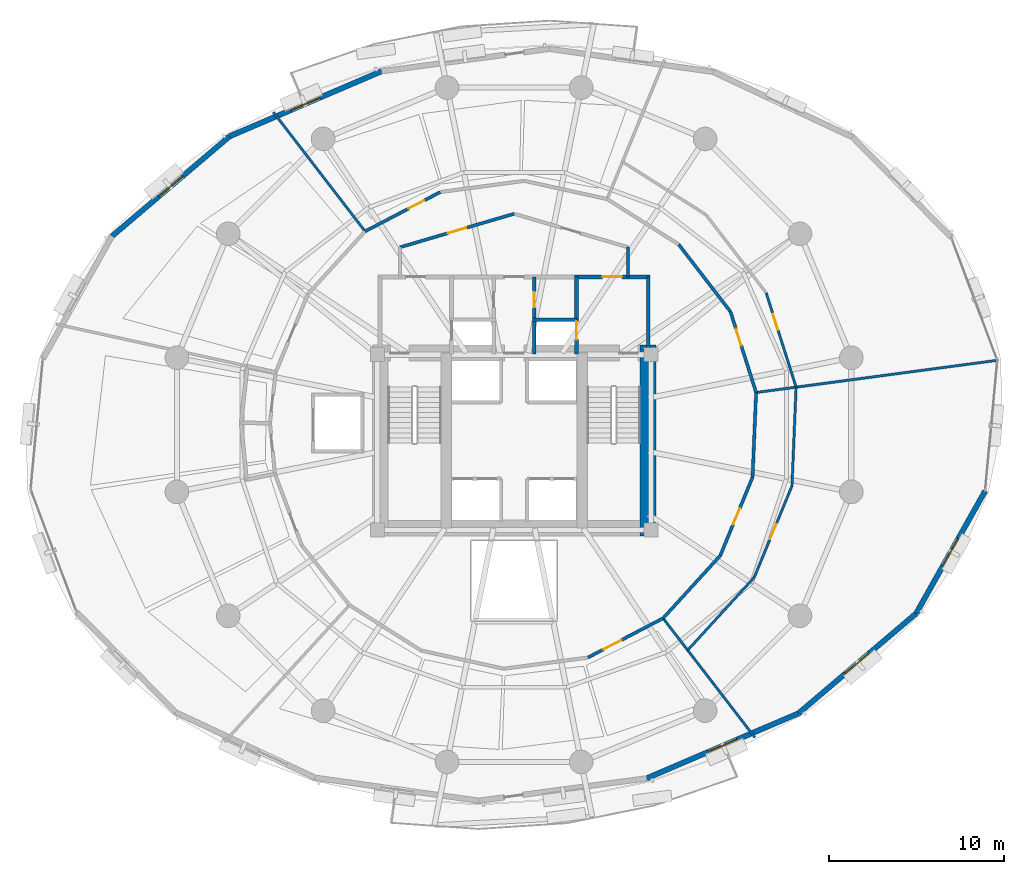
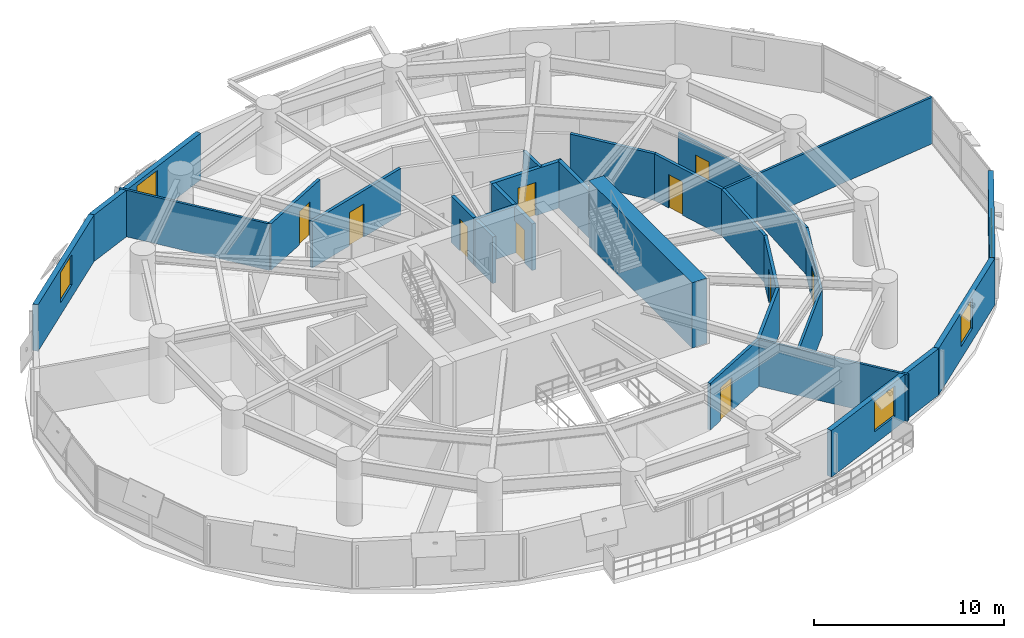
# One storey, part 13 of 17: 27 walls, 10 doors, 5 windows, 15 openings.
"""IFC4 building model written with IfcOpenShell, lengths in metres."""

from ifc_helpers import new_model, si_unit, direction, frame, frame_2d, origin, place, context, subcontext, project, spatial, rectangle, extrude, material, layer, layer_set, type_object, element, fill, save


model = new_model("IFC4")

# Units and contexts
model_context = context("Model", 3, precision=1e-05, world=origin(), true_north=direction((0.0, 1.0)))
body_context = subcontext(model_context, "Body", "Model", "MODEL_VIEW")
ifc_project = project(units=[si_unit("LENGTHUNIT", "METRE"), si_unit("AREAUNIT", "SQUARE_METRE"), si_unit("VOLUMEUNIT", "CUBIC_METRE"), si_unit("PLANEANGLEUNIT", "RADIAN"), si_unit("MASSUNIT", "GRAM", prefix="KILO"), si_unit("THERMODYNAMICTEMPERATUREUNIT", "KELVIN"), si_unit("POWERUNIT", "WATT")], contexts=[model_context])

# Site, building, storey
site_placement = place(None, origin())
site = spatial("IfcSite", under=ifc_project, at=site_placement, CompositionType="ELEMENT")
building_placement = place(site_placement, origin())
building = spatial("IfcBuilding", under=site, at=building_placement, Name="Ocrelia Relay Tower", CompositionType="ELEMENT")
storey_placement = place(building_placement, frame((0.0, 0.0, 63.60009765625)))
storey = spatial("IfcBuildingStorey", under=building, at=storey_placement, Name="L14", CompositionType="ELEMENT", Elevation=63.60009765625)

# Walls
ifc_material_1 = material(Name="Concrete C70/85", Category="concrete")
ifc_layer_1 = layer(ifc_material_1, 0.89990234375, Name="Concrete C70/85")
ifc_layer_set_1 = layer_set([ifc_layer_1], Name="Concrete C70/85")
wall_type_1 = type_object("IfcWallType", Name="CW-CORE-900", PredefinedType="SHEAR", material=ifc_layer_set_1)
wall_1_placement = place(storey_placement, frame((41.637939453125, 19.662109375, 0.0), z_axis=(0.0, 0.0, 1.0), x_axis=(0.0, 1.0, 0.0)))
element("IfcWall", 1, at=wall_1_placement, inside=storey, type_object=wall_type_1, Name="L14 Core Shear Wall E", PredefinedType="SHEAR", context=body_context, shape_type="SweptSolid", body=[
    extrude(rectangle(XDim=10.8759765625, YDim=0.89990234375, at=frame_2d((5.43798828125, 0.0))), origin(), (0.0, 0.0, 1.0), 4.199951171875),
])
ifc_material_2 = material(Name="Gypsum Fireboard Partition EI60", Category="gypsum")
ifc_layer_2 = layer(ifc_material_2, 0.179931640625, Name="Gypsum Fireboard Partition EI60")
ifc_layer_set_2 = layer_set([ifc_layer_2], Name="Gypsum Fireboard Partition EI60")
wall_type_2 = type_object("IfcWallType", Name="W-CORR-EI60-180", PredefinedType="PARTITIONING", material=ifc_layer_set_2)
wall_2_placement = place(storey_placement, frame((40.5, 36.122802734375, 0.0), z_axis=(0.0, 0.0, 1.0), x_axis=(0.0, -1.0, 0.0)))
element("IfcWall", 2, at=wall_2_placement, inside=storey, type_object=wall_type_2, Name="L14 Smoke Lobby East Return", PredefinedType="PARTITIONING", context=body_context, shape_type="SweptSolid", body=[
    extrude(rectangle(XDim=1.69287109375, YDim=0.179931640625, at=frame_2d((0.846435546875, 0.0))), origin(), (0.0, 0.0, 1.0), 3.0),
])

# Wall, opening, door
wall_3_placement = place(storey_placement, frame((27.5, 36.122802734375, 0.0), z_axis=(0.0, 0.0, 1.0), x_axis=(0.959546654541, 0.281549671923, 0.0)))
wall_3 = element("IfcWall", 3, at=wall_3_placement, inside=storey, type_object=wall_type_2, Name="L14 North Smoke Lobby W Screen Wall", PredefinedType="PARTITIONING", context=body_context, shape_type="SweptSolid", body=[
    extrude(rectangle(XDim=6.77392578125, YDim=0.179931640625, at=frame_2d((3.386962890625, 0.0))), origin(), (0.0, 0.0, 1.0), 3.0),
])
opening_1_placement = place(wall_3_placement, frame((2.8369140625, 0.0, 0.0)))
opening_1 = element("IfcOpeningElement", 4, at=opening_1_placement, cuts=wall_3, Name="Opening D-FD60", PredefinedType="OPENING", context=body_context, shape_type="SweptSolid", body=[
    extrude(rectangle(XDim=1.10009765625, YDim=2.14990234375, at=frame_2d((0.550048828125, 1.074951171875))), frame((0.0, 0.10009765625, 0.0), z_axis=(0.0, -1.0, 0.0), x_axis=(1.0, 0.0, 0.0)), (0.0, 0.0, 1.0), 0.199951171875),
])
ifc_material_3 = material(Name="Timber-core 60-min acoustic fire door", Category="wood")
door_type_1 = type_object("IfcDoorType", Name="DR-LOBBY-FD60-1100", OperationType="NOTDEFINED", PredefinedType="DOOR", material=ifc_material_3)
door_1_placement = place(opening_1_placement, origin())
door_1 = element("IfcDoor", 5, at=door_1_placement, inside=storey, type_object=door_type_1, Name="L14 North Smoke Lobby W Fire Door", OperationType="SINGLE_SWING_RIGHT", OverallHeight=2.14990234375, OverallWidth=1.10009765625, PredefinedType="DOOR", context=body_context, shape_type="SweptSolid", body=[
    extrude(rectangle(XDim=1.10009765625, YDim=2.14990234375, at=frame_2d((0.550048828125, 1.074951171875))), frame((0.0, 0.02490234375, 0.0), z_axis=(0.0, -1.0, 0.0), x_axis=(1.0, 0.0, 0.0)), (0.0, 0.0, 1.0), 0.050048828125),
])
fill(opening_1, door_1)

wall_4_placement = place(storey_placement, frame((38.208984375, 12.731689453125, 0.0), z_axis=(0.0, 0.0, 1.0), x_axis=(0.886221674156, 0.463261421075, 0.0)))
wall_4 = element("IfcWall", 6, at=wall_4_placement, inside=storey, type_object=wall_type_2, Name="L14 Colocation Data Hall A Corridor Partition 4", PredefinedType="PARTITIONING", context=body_context, shape_type="SweptSolid", body=[
    extrude(rectangle(XDim=4.834228515625, YDim=0.179931640625, at=frame_2d((2.4169921875, 0.0))), origin(), (0.0, 0.0, 1.0), 3.0),
])
opening_2_placement = place(wall_4_placement, frame((0.99609375, 0.0, 0.0)))
opening_2 = element("IfcOpeningElement", 7, at=opening_2_placement, cuts=wall_4, Name="Opening D-RM115", PredefinedType="OPENING", context=body_context, shape_type="SweptSolid", body=[
    extrude(rectangle(XDim=1.14990234375, YDim=2.14990234375, at=frame_2d((0.574951171875, 1.074951171875))), frame((0.0, 0.10009765625, 0.0), z_axis=(0.0, -1.0, 0.0), x_axis=(1.0, 0.0, 0.0)), (0.0, 0.0, 1.0), 0.199951171875),
])
ifc_material_4 = material(Name="Wide acoustic oak veneer fire door", Category="wood")
door_type_2 = type_object("IfcDoorType", Name="DR-ROOM-1150", OperationType="NOTDEFINED", PredefinedType="DOOR", material=ifc_material_4)
door_2_placement = place(opening_2_placement, origin())
door_2 = element("IfcDoor", 8, at=door_2_placement, inside=storey, type_object=door_type_2, Name="L14 Colocation Data Hall A Entrance Door", OperationType="SINGLE_SWING_LEFT", OverallHeight=2.14990234375, OverallWidth=1.14990234375, PredefinedType="DOOR", context=body_context, shape_type="SweptSolid", body=[
    extrude(rectangle(XDim=1.14990234375, YDim=2.14990234375, at=frame_2d((0.574951171875, 1.074951171875))), frame((0.0, 0.02490234375, 0.0), z_axis=(0.0, -1.0, 0.0), x_axis=(1.0, 0.0, 0.0)), (0.0, 0.0, 1.0), 0.050048828125),
])
fill(opening_2, door_2)

# Wall
wall_5_placement = place(storey_placement, frame((42.4931640625, 14.97119140625, 0.0), z_axis=(0.0, 0.0, 1.0), x_axis=(0.674284930573, 0.738471280689, 0.0)))
element("IfcWall", 9, at=wall_5_placement, inside=storey, type_object=wall_type_2, Name="L14 Innovation Club Room Corridor Partition 1", PredefinedType="PARTITIONING", context=body_context, shape_type="SweptSolid", body=[
    extrude(rectangle(XDim=4.83447265625, YDim=0.179931640625, at=frame_2d((2.417236328125, 0.0))), origin(), (0.0, 0.0, 1.0), 3.0),
])

# Wall, opening, door
wall_6_placement = place(storey_placement, frame((45.7529296875, 18.541259765625, 0.0), z_axis=(0.0, 0.0, 1.0), x_axis=(0.381069812318, 0.92454626609, 0.0)))
wall_6 = element("IfcWall", 10, at=wall_6_placement, inside=storey, type_object=wall_type_2, Name="L14 Innovation Club Room Corridor Partition 2", PredefinedType="PARTITIONING", context=body_context, shape_type="SweptSolid", body=[
    extrude(rectangle(XDim=4.83447265625, YDim=0.179931640625, at=frame_2d((2.417236328125, 0.0))), origin(), (0.0, 0.0, 1.0), 3.0),
])
opening_3_placement = place(wall_6_placement, frame((1.917236328125, 0.0, 0.0)))
opening_3 = element("IfcOpeningElement", 11, at=opening_3_placement, cuts=wall_6, Name="Opening D-RM100", PredefinedType="OPENING", context=body_context, shape_type="SweptSolid", body=[
    extrude(rectangle(XDim=1.0, YDim=2.14990234375, at=frame_2d((0.5, 1.074951171875))), frame((0.0, 0.10009765625, 0.0), z_axis=(0.0, -1.0, 0.0), x_axis=(1.0, 0.0, 0.0)), (0.0, 0.0, 1.0), 0.199951171875),
])
ifc_material_5 = material(Name="Acoustic oak veneer fire door", Category="wood")
door_type_3 = type_object("IfcDoorType", Name="DR-ROOM-FD60-1000", OperationType="NOTDEFINED", PredefinedType="DOOR", material=ifc_material_5)
door_3_placement = place(opening_3_placement, origin())
door_3 = element("IfcDoor", 12, at=door_3_placement, inside=storey, type_object=door_type_3, Name="L14 Innovation Club Room Entrance Door", OperationType="SINGLE_SWING_RIGHT", OverallHeight=2.14990234375, OverallWidth=1.0, PredefinedType="DOOR", context=body_context, shape_type="SweptSolid", body=[
    extrude(rectangle(XDim=1.0, YDim=2.14990234375, at=frame_2d((0.5, 1.074951171875))), frame((0.0, 0.02490234375, 0.0), z_axis=(0.0, -1.0, 0.0), x_axis=(1.0, 0.0, 0.0)), (0.0, 0.0, 1.0), 0.050048828125),
])
fill(opening_3, door_3)

# Wall
wall_7_placement = place(storey_placement, frame((47.59521484375, 23.010986328125, 0.0), z_axis=(0.0, 0.0, 1.0), x_axis=(0.041865809147, 0.999123242661, 0.0)))
element("IfcWall", 13, at=wall_7_placement, inside=storey, type_object=wall_type_2, Name="L14 Innovation Club Room Corridor Partition 3", PredefinedType="PARTITIONING", context=body_context, shape_type="SweptSolid", body=[
    extrude(rectangle(XDim=4.834228515625, YDim=0.179931640625, at=frame_2d((2.4169921875, 0.0))), origin(), (0.0, 0.0, 1.0), 3.0),
])

# Wall, opening, door
wall_8_placement = place(storey_placement, frame((47.797607421875, 27.841064453125, 0.0), z_axis=(0.0, 0.0, 1.0), x_axis=(-0.302346825509, 0.953197984212, 0.0)))
wall_8 = element("IfcWall", 14, at=wall_8_placement, inside=storey, type_object=wall_type_2, Name="L14 Staff Wellness Room Corridor Partition 1", PredefinedType="PARTITIONING", context=body_context, shape_type="SweptSolid", body=[
    extrude(rectangle(XDim=4.83447265625, YDim=0.179931640625, at=frame_2d((2.417236328125, 0.0))), origin(), (0.0, 0.0, 1.0), 3.0),
])
opening_4_placement = place(wall_8_placement, frame((2.80078125, 0.0, 0.0)))
opening_4 = element("IfcOpeningElement", 15, at=opening_4_placement, cuts=wall_8, Name="Opening D-RM100", PredefinedType="OPENING", context=body_context, shape_type="SweptSolid", body=[
    extrude(rectangle(XDim=1.0, YDim=2.14990234375, at=frame_2d((0.5, 1.074951171875))), frame((0.0, 0.10009765625, 0.0), z_axis=(0.0, -1.0, 0.0), x_axis=(1.0, 0.0, 0.0)), (0.0, 0.0, 1.0), 0.199951171875),
])
door_4_placement = place(opening_4_placement, origin())
door_4 = element("IfcDoor", 16, at=door_4_placement, inside=storey, type_object=door_type_3, Name="L14 Staff Wellness Room Entrance Door", OperationType="SINGLE_SWING_RIGHT", OverallHeight=2.14990234375, OverallWidth=1.0, PredefinedType="DOOR", context=body_context, shape_type="SweptSolid", body=[
    extrude(rectangle(XDim=1.0, YDim=2.14990234375, at=frame_2d((0.5, 1.074951171875))), frame((0.0, 0.02490234375, 0.0), z_axis=(0.0, -1.0, 0.0), x_axis=(1.0, 0.0, 0.0)), (0.0, 0.0, 1.0), 0.050048828125),
])
fill(opening_4, door_4)

# Wall
wall_9_placement = place(storey_placement, frame((46.3359375, 32.44921875, 0.0), z_axis=(0.0, 0.0, 1.0), x_axis=(-0.610164615226, 0.792274663438, 0.0)))
element("IfcWall", 17, at=wall_9_placement, inside=storey, type_object=wall_type_2, Name="L14 Staff Wellness Room Corridor Partition 2", PredefinedType="PARTITIONING", context=body_context, shape_type="SweptSolid", body=[
    extrude(rectangle(XDim=4.834228515625, YDim=0.179931640625, at=frame_2d((2.4169921875, 0.0))), origin(), (0.0, 0.0, 1.0), 3.0),
])

# Wall, opening, door
wall_10_placement = place(storey_placement, frame((29.791015625, 39.268310546875, 0.0), z_axis=(0.0, 0.0, 1.0), x_axis=(-0.886221674156, -0.463261421075, 0.0)))
wall_10 = element("IfcWall", 18, at=wall_10_placement, inside=storey, type_object=wall_type_2, Name="L14 Shift Staff Lounge Corridor Partition 3", PredefinedType="PARTITIONING", context=body_context, shape_type="SweptSolid", body=[
    extrude(rectangle(XDim=4.834228515625, YDim=0.179931640625, at=frame_2d((2.4169921875, 0.0))), origin(), (0.0, 0.0, 1.0), 3.0),
])
opening_5_placement = place(wall_10_placement, frame((1.03369140625, 0.0, 0.0)))
opening_5 = element("IfcOpeningElement", 19, at=opening_5_placement, cuts=wall_10, Name="Opening D-RM100", PredefinedType="OPENING", context=body_context, shape_type="SweptSolid", body=[
    extrude(rectangle(XDim=1.0, YDim=2.14990234375, at=frame_2d((0.5, 1.074951171875))), frame((0.0, 0.10009765625, 0.0), z_axis=(0.0, -1.0, 0.0), x_axis=(1.0, 0.0, 0.0)), (0.0, 0.0, 1.0), 0.199951171875),
])
door_5_placement = place(opening_5_placement, origin())
door_5 = element("IfcDoor", 20, at=door_5_placement, inside=storey, type_object=door_type_3, Name="L14 Shift Staff Lounge Entrance Door", OperationType="SINGLE_SWING_RIGHT", OverallHeight=2.14990234375, OverallWidth=1.0, PredefinedType="DOOR", context=body_context, shape_type="SweptSolid", body=[
    extrude(rectangle(XDim=1.0, YDim=2.14990234375, at=frame_2d((0.5, 1.074951171875))), frame((0.0, 0.02490234375, 0.0), z_axis=(0.0, -1.0, 0.0), x_axis=(1.0, 0.0, 0.0)), (0.0, 0.0, 1.0), 0.050048828125),
])
fill(opening_5, door_5)

# Wall, opening, window
ifc_material_6 = material(Name="Precast concrete C40/50 with oxide terracotta", Category="masonry")
ifc_layer_3 = layer(ifc_material_6, 0.300048828125, Name="Precast concrete C40/50 with oxide terracotta")
ifc_layer_set_3 = layer_set([ifc_layer_3], Name="Precast concrete C40/50 with oxide terracotta")
wall_type_3 = type_object("IfcWallType", Name="W-EXT-TERR-300", PredefinedType="SOLIDWALL", material=ifc_layer_set_3)
wall_11_placement = place(storey_placement, frame((26.440673828125, 46.15380859375, 0.0), z_axis=(0.0, 0.0, 1.0), x_axis=(-0.919246893901, -0.393681531259, 0.0)))
wall_11 = element("IfcWall", 21, at=wall_11_placement, inside=storey, type_object=wall_type_3, Name="L14 Oxide Terracotta Facade Wall 06", PredefinedType="SOLIDWALL", context=body_context, shape_type="SweptSolid", body=[
    extrude(rectangle(XDim=9.418701171875, YDim=0.300048828125, at=frame_2d((4.70947265625, 0.0))), origin(), (0.0, 0.0, 1.0), 3.0),
])
opening_6_placement = place(wall_11_placement, frame((3.80908203125, 0.0, 0.800048828125)))
opening_6 = element("IfcOpeningElement", 22, at=opening_6_placement, cuts=wall_11, Name="Opening W-02", PredefinedType="OPENING", context=body_context, shape_type="SweptSolid", body=[
    extrude(rectangle(XDim=1.800048828125, YDim=1.949951171875, at=frame_2d((0.89990234375, 0.97509765625))), frame((0.0, 0.16015625, 0.0), z_axis=(0.0, -1.0, 0.0), x_axis=(1.0, 0.0, 0.0)), (0.0, 0.0, 1.0), 0.320068359375),
])
ifc_material_7 = material(Name="Clear double-glazed low-E glass", Category="glass")
window_type = type_object("IfcWindowType", Name="WIN-Z1-1800x2100", PartitioningType="DOUBLE_PANEL_VERTICAL", PredefinedType="WINDOW", material=ifc_material_7)
window_1_placement = place(opening_6_placement, origin())
window_1 = element("IfcWindow", 23, at=window_1_placement, inside=storey, type_object=window_type, Name="L14 Facade Module Window 06", OverallHeight=1.949951171875, OverallWidth=1.800048828125, PartitioningType="SINGLE_PANEL", PredefinedType="WINDOW", context=body_context, shape_type="SweptSolid", body=[
    extrude(rectangle(XDim=1.800048828125, YDim=1.949951171875, at=frame_2d((0.89990234375, 0.97509765625))), frame((0.0, 0.030029296875, 0.0), z_axis=(0.0, -1.0, 0.0), x_axis=(1.0, 0.0, 0.0)), (0.0, 0.0, 1.0), 0.06005859375),
])
fill(opening_6, window_1)

wall_12_placement = place(storey_placement, frame((17.782470703125, 42.44580078125, 0.0), z_axis=(0.0, 0.0, 1.0), x_axis=(-0.76225711474, -0.6472743553, 0.0)))
wall_12 = element("IfcWall", 24, at=wall_12_placement, inside=storey, type_object=wall_type_3, Name="L14 Oxide Terracotta Facade Wall 07", PredefinedType="SOLIDWALL", context=body_context, shape_type="SweptSolid", body=[
    extrude(rectangle(XDim=8.79248046875, YDim=0.300048828125, at=frame_2d((4.396240234375, 0.0))), origin(), (0.0, 0.0, 1.0), 3.0),
])
opening_7_placement = place(wall_12_placement, frame((3.49609375, 0.0, 0.800048828125)))
opening_7 = element("IfcOpeningElement", 25, at=opening_7_placement, cuts=wall_12, Name="Opening W-02", PredefinedType="OPENING", context=body_context, shape_type="SweptSolid", body=[
    extrude(rectangle(XDim=1.800048828125, YDim=1.949951171875, at=frame_2d((0.89990234375, 0.97509765625))), frame((0.0, 0.16015625, 0.0), z_axis=(0.0, -1.0, 0.0), x_axis=(1.0, 0.0, 0.0)), (0.0, 0.0, 1.0), 0.320068359375),
])
window_2_placement = place(opening_7_placement, origin())
window_2 = element("IfcWindow", 26, at=window_2_placement, inside=storey, type_object=window_type, Name="L14 Facade Module Window 07", OverallHeight=1.949951171875, OverallWidth=1.800048828125, PartitioningType="SINGLE_PANEL", PredefinedType="WINDOW", context=body_context, shape_type="SweptSolid", body=[
    extrude(rectangle(XDim=1.800048828125, YDim=1.949951171875, at=frame_2d((0.89990234375, 0.97509765625))), frame((0.0, 0.030029296875, 0.0), z_axis=(0.0, -1.0, 0.0), x_axis=(1.0, 0.0, 0.0)), (0.0, 0.0, 1.0), 0.06005859375),
])
fill(opening_7, window_2)

wall_13_placement = place(storey_placement, frame((41.559326171875, 5.84619140625, 0.0), z_axis=(0.0, 0.0, 1.0), x_axis=(0.919246893901, 0.393681531259, 0.0)))
wall_13 = element("IfcWall", 27, at=wall_13_placement, inside=storey, type_object=wall_type_3, Name="L14 Oxide Terracotta Facade Wall 15", PredefinedType="SOLIDWALL", context=body_context, shape_type="SweptSolid", body=[
    extrude(rectangle(XDim=9.418701171875, YDim=0.300048828125, at=frame_2d((4.70947265625, 0.0))), origin(), (0.0, 0.0, 1.0), 3.0),
])
opening_8_placement = place(wall_13_placement, frame((3.80908203125, 0.0, 0.800048828125)))
opening_8 = element("IfcOpeningElement", 28, at=opening_8_placement, cuts=wall_13, Name="Opening W-02", PredefinedType="OPENING", context=body_context, shape_type="SweptSolid", body=[
    extrude(rectangle(XDim=1.800048828125, YDim=1.949951171875, at=frame_2d((0.89990234375, 0.97509765625))), frame((0.0, 0.16015625, 0.0), z_axis=(0.0, -1.0, 0.0), x_axis=(1.0, 0.0, 0.0)), (0.0, 0.0, 1.0), 0.320068359375),
])
window_3_placement = place(opening_8_placement, origin())
window_3 = element("IfcWindow", 29, at=window_3_placement, inside=storey, type_object=window_type, Name="L14 Facade Module Window 15", OverallHeight=1.949951171875, OverallWidth=1.800048828125, PartitioningType="SINGLE_PANEL", PredefinedType="WINDOW", context=body_context, shape_type="SweptSolid", body=[
    extrude(rectangle(XDim=1.800048828125, YDim=1.949951171875, at=frame_2d((0.89990234375, 0.97509765625))), frame((0.0, 0.030029296875, 0.0), z_axis=(0.0, -1.0, 0.0), x_axis=(1.0, 0.0, 0.0)), (0.0, 0.0, 1.0), 0.06005859375),
])
fill(opening_8, window_3)

wall_14_placement = place(storey_placement, frame((50.217529296875, 9.55419921875, 0.0), z_axis=(0.0, 0.0, 1.0), x_axis=(0.76225711474, 0.6472743553, 0.0)))
wall_14 = element("IfcWall", 30, at=wall_14_placement, inside=storey, type_object=wall_type_3, Name="L14 Oxide Terracotta Facade Wall 16", PredefinedType="SOLIDWALL", context=body_context, shape_type="SweptSolid", body=[
    extrude(rectangle(XDim=8.79248046875, YDim=0.300048828125, at=frame_2d((4.396240234375, 0.0))), origin(), (0.0, 0.0, 1.0), 3.0),
])
opening_9_placement = place(wall_14_placement, frame((3.49609375, 0.0, 0.800048828125)))
opening_9 = element("IfcOpeningElement", 31, at=opening_9_placement, cuts=wall_14, Name="Opening W-02", PredefinedType="OPENING", context=body_context, shape_type="SweptSolid", body=[
    extrude(rectangle(XDim=1.800048828125, YDim=1.949951171875, at=frame_2d((0.89990234375, 0.97509765625))), frame((0.0, 0.16015625, 0.0), z_axis=(0.0, -1.0, 0.0), x_axis=(1.0, 0.0, 0.0)), (0.0, 0.0, 1.0), 0.320068359375),
])
window_4_placement = place(opening_9_placement, origin())
window_4 = element("IfcWindow", 32, at=window_4_placement, inside=storey, type_object=window_type, Name="L14 Facade Module Window 16", OverallHeight=1.949951171875, OverallWidth=1.800048828125, PartitioningType="SINGLE_PANEL", PredefinedType="WINDOW", context=body_context, shape_type="SweptSolid", body=[
    extrude(rectangle(XDim=1.800048828125, YDim=1.949951171875, at=frame_2d((0.89990234375, 0.97509765625))), frame((0.0, 0.030029296875, 0.0), z_axis=(0.0, -1.0, 0.0), x_axis=(1.0, 0.0, 0.0)), (0.0, 0.0, 1.0), 0.06005859375),
])
fill(opening_9, window_4)

wall_15_placement = place(storey_placement, frame((56.919677734375, 15.245361328125, 0.0), z_axis=(0.0, 0.0, 1.0), x_axis=(0.490895470353, 0.871218478446, 0.0)))
wall_15 = element("IfcWall", 33, at=wall_15_placement, inside=storey, type_object=wall_type_3, Name="L14 Oxide Terracotta Facade Wall 17", PredefinedType="SOLIDWALL", context=body_context, shape_type="SweptSolid", body=[
    extrude(rectangle(XDim=8.021484375, YDim=0.300048828125, at=frame_2d((4.0107421875, 0.0))), origin(), (0.0, 0.0, 1.0), 3.0),
])
opening_10_placement = place(wall_15_placement, frame((3.111083984375, 0.0, 0.800048828125)))
opening_10 = element("IfcOpeningElement", 34, at=opening_10_placement, cuts=wall_15, Name="Opening W-02", PredefinedType="OPENING", context=body_context, shape_type="SweptSolid", body=[
    extrude(rectangle(XDim=1.800048828125, YDim=1.949951171875, at=frame_2d((0.89990234375, 0.97509765625))), frame((0.0, 0.16015625, 0.0), z_axis=(0.0, -1.0, 0.0), x_axis=(1.0, 0.0, 0.0)), (0.0, 0.0, 1.0), 0.320068359375),
])
window_5_placement = place(opening_10_placement, origin())
window_5 = element("IfcWindow", 35, at=window_5_placement, inside=storey, type_object=window_type, Name="L14 Facade Module Window 17", OverallHeight=1.949951171875, OverallWidth=1.800048828125, PartitioningType="SINGLE_PANEL", PredefinedType="WINDOW", context=body_context, shape_type="SweptSolid", body=[
    extrude(rectangle(XDim=1.800048828125, YDim=1.949951171875, at=frame_2d((0.89990234375, 0.97509765625))), frame((0.0, 0.030029296875, 0.0), z_axis=(0.0, -1.0, 0.0), x_axis=(1.0, 0.0, 0.0)), (0.0, 0.0, 1.0), 0.06005859375),
])
fill(opening_10, window_5)

# Wall, opening, door
ifc_material_8 = material(Name="Concrete C50/60", Category="concrete")
ifc_layer_4 = layer(ifc_material_8, 0.219970703125, Name="Concrete C50/60")
ifc_layer_set_4 = layer_set([ifc_layer_4], Name="Concrete C50/60")
wall_type_4 = type_object("IfcWallType", Name="W-FFL-EI120-220", PredefinedType="SOLIDWALL", material=ifc_layer_set_4)
wall_16_placement = place(storey_placement, frame((37.56005859375, 30.050048828125, 0.0), z_axis=(0.0, 0.0, 1.0), x_axis=(0.0, 1.0, 0.0)))
wall_16 = element("IfcWall", 36, at=wall_16_placement, inside=storey, type_object=wall_type_4, Name="L14 E Fire Service Lift Lobby West Wall", PredefinedType="SOLIDWALL", context=body_context, shape_type="SweptSolid", body=[
    extrude(rectangle(XDim=4.3798828125, YDim=0.219970703125, at=frame_2d((2.18994140625, 0.0))), origin(), (0.0, 0.0, 1.0), 3.0),
])
opening_11_placement = place(wall_16_placement, frame((0.800048828125, 0.0, 0.0)))
opening_11 = element("IfcOpeningElement", 37, at=opening_11_placement, cuts=wall_16, Name="Opening LD-FFL2", PredefinedType="OPENING", context=body_context, shape_type="SweptSolid", body=[
    extrude(rectangle(XDim=1.050048828125, YDim=2.10009765625, at=frame_2d((0.52490234375, 1.050048828125))), frame((0.0, 0.1201171875, 0.0), z_axis=(0.0, -1.0, 0.0), x_axis=(1.0, 0.0, 0.0)), (0.0, 0.0, 1.0), 0.239990234375),
])
ifc_material_9 = material(Name="Brushed stainless steel S355 lift landing door", Category="steel")
door_type_4 = type_object("IfcDoorType", Name="DR-LIFT-LAND-1050", OperationType="DOUBLE_DOOR_SLIDING", PredefinedType="USERDEFINED", material=ifc_material_9)
door_6_placement = place(opening_11_placement, origin())
door_6 = element("IfcDoor", 38, at=door_6_placement, inside=storey, type_object=door_type_4, Name="L14 Firefighting Lift FFL2 Sliding Landing Door", ObjectType="LANDING DOOR", OperationType="DOUBLE_DOOR_SLIDING", OverallHeight=2.10009765625, OverallWidth=1.050048828125, PredefinedType="USERDEFINED", context=body_context, shape_type="SweptSolid", body=[
    extrude(rectangle(XDim=1.050048828125, YDim=2.10009765625, at=frame_2d((0.52490234375, 1.050048828125))), frame((0.0, 0.02490234375, 0.0), z_axis=(0.0, -1.0, 0.0), x_axis=(1.0, 0.0, 0.0)), (0.0, 0.0, 1.0), 0.050048828125),
])
fill(opening_11, door_6)

# Wall
wall_17_placement = place(storey_placement, frame((41.64990234375, 30.050048828125, 0.0), z_axis=(0.0, 0.0, 1.0), x_axis=(0.0, 1.0, 0.0)))
element("IfcWall", 39, at=wall_17_placement, inside=storey, type_object=wall_type_4, Name="L14 E Fire Service Lift Lobby East Wall", PredefinedType="SOLIDWALL", context=body_context, shape_type="SweptSolid", body=[
    extrude(rectangle(XDim=4.3798828125, YDim=0.219970703125, at=frame_2d((2.18994140625, 0.0))), origin(), (0.0, 0.0, 1.0), 3.0),
])

# Wall, opening, door
wall_18_placement = place(storey_placement, frame((37.449951171875, 34.429931640625, 0.0), z_axis=(0.0, 0.0, 1.0), x_axis=(1.0, 0.0, 0.0)))
wall_18 = element("IfcWall", 40, at=wall_18_placement, inside=storey, type_object=wall_type_4, Name="L14 E Fire Service Lift Lobby North Wall", PredefinedType="SOLIDWALL", context=body_context, shape_type="SweptSolid", body=[
    extrude(rectangle(XDim=4.31005859375, YDim=0.219970703125, at=frame_2d((2.155029296875, 0.0))), origin(), (0.0, 0.0, 1.0), 3.0),
])
opening_12_placement = place(wall_18_placement, frame((1.60009765625, 0.0, 0.0)))
opening_12 = element("IfcOpeningElement", 41, at=opening_12_placement, cuts=wall_18, Name="Opening D-FD60", PredefinedType="OPENING", context=body_context, shape_type="SweptSolid", body=[
    extrude(rectangle(XDim=1.10009765625, YDim=2.14990234375, at=frame_2d((0.550048828125, 1.074951171875))), frame((0.0, 0.1201171875, 0.0), z_axis=(0.0, -1.0, 0.0), x_axis=(1.0, 0.0, 0.0)), (0.0, 0.0, 1.0), 0.239990234375),
])
door_7_placement = place(opening_12_placement, origin())
door_7 = element("IfcDoor", 42, at=door_7_placement, inside=storey, type_object=door_type_1, Name="L14 E Fire Service Lift Lobby Exit Door", OperationType="SINGLE_SWING_LEFT", OverallHeight=2.14990234375, OverallWidth=1.10009765625, PredefinedType="DOOR", context=body_context, shape_type="SweptSolid", body=[
    extrude(rectangle(XDim=1.10009765625, YDim=2.14990234375, at=frame_2d((0.550048828125, 1.074951171875))), frame((0.0, 0.02490234375, 0.0), z_axis=(0.0, -1.0, 0.0), x_axis=(1.0, 0.0, 0.0)), (0.0, 0.0, 1.0), 0.050048828125),
])
fill(opening_12, door_7)

# Walls
ifc_material_10 = material(Name="Acoustic Fireboard Partition EI60", Category="gypsum")
ifc_layer_5 = layer(ifc_material_10, 0.139892578125, Name="Acoustic Fireboard Partition EI60")
ifc_layer_set_5 = layer_set([ifc_layer_5], Name="Acoustic Fireboard Partition EI60")
wall_type_5 = type_object("IfcWallType", Name="W-PART-140", PredefinedType="PARTITIONING", material=ifc_layer_set_5)
wall_19_placement = place(storey_placement, frame((42.4931640625, 14.97119140625, 0.0), z_axis=(0.0, 0.0, 1.0), x_axis=(0.610157960661, -0.792279788359, 0.0)))
element("IfcWall", 43, at=wall_19_placement, inside=storey, type_object=wall_type_5, Name="L14 Colocation Data Hall A Radial Partition", PredefinedType="PARTITIONING", context=body_context, shape_type="SweptSolid", body=[
    extrude(rectangle(XDim=8.57275390625, YDim=0.139892578125, at=frame_2d((4.286376953125, 0.0))), origin(), (0.0, 0.0, 1.0), 3.0),
])
wall_20_placement = place(storey_placement, frame((47.797607421875, 27.841064453125, 0.0), z_axis=(0.0, 0.0, 1.0), x_axis=(0.991216068236, 0.132252433138, 0.0)))
element("IfcWall", 44, at=wall_20_placement, inside=storey, type_object=wall_type_5, Name="L14 Innovation Club Room Radial Partition", PredefinedType="PARTITIONING", context=body_context, shape_type="SweptSolid", body=[
    extrude(rectangle(XDim=13.880126953125, YDim=0.139892578125, at=frame_2d((6.93994140625, 0.0))), origin(), (0.0, 0.0, 1.0), 3.0),
])
wall_21_placement = place(storey_placement, frame((43.896484375, 13.149169921875, 0.0), z_axis=(0.0, 0.0, 1.0), x_axis=(0.674329993332, 0.738430132167, 0.0)))
element("IfcWall", 45, at=wall_21_placement, inside=storey, type_object=wall_type_5, Name="L14 Perimeter Innovation Club Room Mid-Ring Partition 1", PredefinedType="PARTITIONING", context=body_context, shape_type="SweptSolid", body=[
    extrude(rectangle(XDim=5.633056640625, YDim=0.139892578125, at=frame_2d((2.81640625, 0.0))), origin(), (0.0, 0.0, 1.0), 3.0),
])

# Wall, opening, door
wall_22_placement = place(storey_placement, frame((47.695068359375, 17.308837890625, 0.0), z_axis=(0.0, 0.0, 1.0), x_axis=(0.381039698685, 0.924558677438, 0.0)))
wall_22 = element("IfcWall", 46, at=wall_22_placement, inside=storey, type_object=wall_type_5, Name="L14 Perimeter Innovation Club Room Mid-Ring Partition 2", PredefinedType="PARTITIONING", context=body_context, shape_type="SweptSolid", body=[
    extrude(rectangle(XDim=5.63330078125, YDim=0.139892578125, at=frame_2d((2.816650390625, 0.0))), origin(), (0.0, 0.0, 1.0), 3.0),
])
opening_13_placement = place(wall_22_placement, frame((2.341552734375, 0.0, 0.0)))
opening_13 = element("IfcOpeningElement", 47, at=opening_13_placement, cuts=wall_22, Name="Opening D-RM95", PredefinedType="OPENING", context=body_context, shape_type="SweptSolid", body=[
    extrude(rectangle(XDim=0.949951171875, YDim=2.14990234375, at=frame_2d((0.47509765625, 1.074951171875))), frame((0.0, 0.080078125, 0.0), z_axis=(0.0, -1.0, 0.0), x_axis=(1.0, 0.0, 0.0)), (0.0, 0.0, 1.0), 0.159912109375),
])
door_type_5 = type_object("IfcDoorType", Name="DR-ROOM-950", OperationType="NOTDEFINED", PredefinedType="DOOR", material=ifc_material_5)
door_8_placement = place(opening_13_placement, origin())
door_8 = element("IfcDoor", 48, at=door_8_placement, inside=storey, type_object=door_type_5, Name="L14 Perimeter Innovation Club Room Connecting Door", OperationType="SINGLE_SWING_LEFT", OverallHeight=2.14990234375, OverallWidth=0.949951171875, PredefinedType="DOOR", context=body_context, shape_type="SweptSolid", body=[
    extrude(rectangle(XDim=0.949951171875, YDim=2.14990234375, at=frame_2d((0.47509765625, 1.074951171875))), frame((0.0, 0.02490234375, 0.0), z_axis=(0.0, -1.0, 0.0), x_axis=(1.0, 0.0, 0.0)), (0.0, 0.0, 1.0), 0.050048828125),
])
fill(opening_13, door_8)

# Wall
wall_23_placement = place(storey_placement, frame((49.841552734375, 22.51708984375, 0.0), z_axis=(0.0, 0.0, 1.0), x_axis=(0.041866699188, 0.999123205365, 0.0)))
element("IfcWall", 49, at=wall_23_placement, inside=storey, type_object=wall_type_5, Name="L14 Perimeter Innovation Club Room Mid-Ring Partition 3", PredefinedType="PARTITIONING", context=body_context, shape_type="SweptSolid", body=[
    extrude(rectangle(XDim=5.633056640625, YDim=0.139892578125, at=frame_2d((2.81640625, 0.0))), origin(), (0.0, 0.0, 1.0), 3.0),
])

# Wall, opening, door
wall_24_placement = place(storey_placement, frame((50.077392578125, 28.145263671875, 0.0), z_axis=(0.0, 0.0, 1.0), x_axis=(-0.302346635655, 0.953198044432, 0.0)))
wall_24 = element("IfcWall", 50, at=wall_24_placement, inside=storey, type_object=wall_type_5, Name="L14 Perimeter Staff Wellness Room Mid-Ring Partition 1", PredefinedType="PARTITIONING", context=body_context, shape_type="SweptSolid", body=[
    extrude(rectangle(XDim=5.633056640625, YDim=0.139892578125, at=frame_2d((2.81640625, 0.0))), origin(), (0.0, 0.0, 1.0), 3.0),
])
opening_14_placement = place(wall_24_placement, frame((3.42236328125, 0.0, 0.0)))
opening_14 = element("IfcOpeningElement", 51, at=opening_14_placement, cuts=wall_24, Name="Opening D-RM95", PredefinedType="OPENING", context=body_context, shape_type="SweptSolid", body=[
    extrude(rectangle(XDim=0.949951171875, YDim=2.14990234375, at=frame_2d((0.47509765625, 1.074951171875))), frame((0.0, 0.080078125, 0.0), z_axis=(0.0, -1.0, 0.0), x_axis=(1.0, 0.0, 0.0)), (0.0, 0.0, 1.0), 0.159912109375),
])
door_9_placement = place(opening_14_placement, origin())
door_9 = element("IfcDoor", 52, at=door_9_placement, inside=storey, type_object=door_type_5, Name="L14 Perimeter Staff Wellness Room Connecting Door", OperationType="SINGLE_SWING_LEFT", OverallHeight=2.14990234375, OverallWidth=0.949951171875, PredefinedType="DOOR", context=body_context, shape_type="SweptSolid", body=[
    extrude(rectangle(XDim=0.949951171875, YDim=2.14990234375, at=frame_2d((0.47509765625, 1.074951171875))), frame((0.0, 0.02490234375, 0.0), z_axis=(0.0, -1.0, 0.0), x_axis=(1.0, 0.0, 0.0)), (0.0, 0.0, 1.0), 0.050048828125),
])
fill(opening_14, door_9)

# Walls
wall_25_placement = place(storey_placement, frame((25.5068359375, 37.02880859375, 0.0), z_axis=(0.0, 0.0, 1.0), x_axis=(-0.610157960661, 0.792279788359, 0.0)))
element("IfcWall", 53, at=wall_25_placement, inside=storey, type_object=wall_type_5, Name="L14 Shift Staff Lounge Radial Partition", PredefinedType="PARTITIONING", context=body_context, shape_type="SweptSolid", body=[
    extrude(rectangle(XDim=8.57275390625, YDim=0.139892578125, at=frame_2d((4.286376953125, 0.0))), origin(), (0.0, 0.0, 1.0), 3.0),
])
ifc_layer_6 = layer(ifc_material_8, 0.199951171875, Name="Concrete C50/60")
ifc_layer_set_6 = layer_set([ifc_layer_6], Name="Concrete C50/60")
wall_type_6 = type_object("IfcWallType", Name="W-SHAFT-EI120-200", PredefinedType="SOLIDWALL", material=ifc_layer_set_6)
wall_26_placement = place(storey_placement, frame((35.050048828125, 32.0, 0.0), z_axis=(0.0, 0.0, 1.0), x_axis=(1.0, 0.0, 0.0)))
element("IfcWall", 54, at=wall_26_placement, inside=storey, type_object=wall_type_6, Name="L14 FFL2 Hoistway North Wall", PredefinedType="SOLIDWALL", context=body_context, shape_type="SweptSolid", body=[
    extrude(rectangle(XDim=2.550048828125, YDim=0.199951171875, at=frame_2d((1.27490234375, 0.0))), origin(), (0.0, 0.0, 1.0), 3.0),
])

# Wall, opening, door
wall_27_placement = place(storey_placement, frame((35.14990234375, 30.050048828125, 0.0), z_axis=(0.0, 0.0, 1.0), x_axis=(0.0, 1.0, 0.0)))
wall_27 = element("IfcWall", 55, at=wall_27_placement, inside=storey, type_object=wall_type_6, Name="L14 FFL2 and Service Vestibule Wall", PredefinedType="SOLIDWALL", context=body_context, shape_type="SweptSolid", body=[
    extrude(rectangle(XDim=4.3798828125, YDim=0.199951171875, at=frame_2d((2.18994140625, 0.0))), origin(), (0.0, 0.0, 1.0), 3.0),
])
opening_15_placement = place(wall_27_placement, frame((2.64990234375, 0.0, 0.0)))
opening_15 = element("IfcOpeningElement", 56, at=opening_15_placement, cuts=wall_27, Name="Opening D-RS86", PredefinedType="OPENING", context=body_context, shape_type="SweptSolid", body=[
    extrude(rectangle(XDim=0.860107421875, YDim=2.050048828125, at=frame_2d((0.43017578125, 1.02490234375))), frame((0.0, 0.10986328125, 0.0), z_axis=(0.0, -1.0, 0.0), x_axis=(1.0, 0.0, 0.0)), (0.0, 0.0, 1.0), 0.219970703125),
])
ifc_material_11 = material(Name="Steel S355 riser access fire door", Category="steel")
door_type_6 = type_object("IfcDoorType", Name="DR-RISER-TRAP-860", OperationType="NOTDEFINED", PredefinedType="TRAPDOOR", material=ifc_material_11)
door_10_placement = place(opening_15_placement, origin())
door_10 = element("IfcDoor", 57, at=door_10_placement, inside=storey, type_object=door_type_6, Name="L14 Core Support Room E Door", OperationType="SINGLE_SWING_RIGHT", OverallHeight=2.050048828125, OverallWidth=0.860107421875, PredefinedType="TRAPDOOR", context=body_context, shape_type="SweptSolid", body=[
    extrude(rectangle(XDim=0.860107421875, YDim=2.050048828125, at=frame_2d((0.43017578125, 1.02490234375))), frame((0.0, 0.02490234375, 0.0), z_axis=(0.0, -1.0, 0.0), x_axis=(1.0, 0.0, 0.0)), (0.0, 0.0, 1.0), 0.050048828125),
])
fill(opening_15, door_10)

save(model, "model.ifc")
